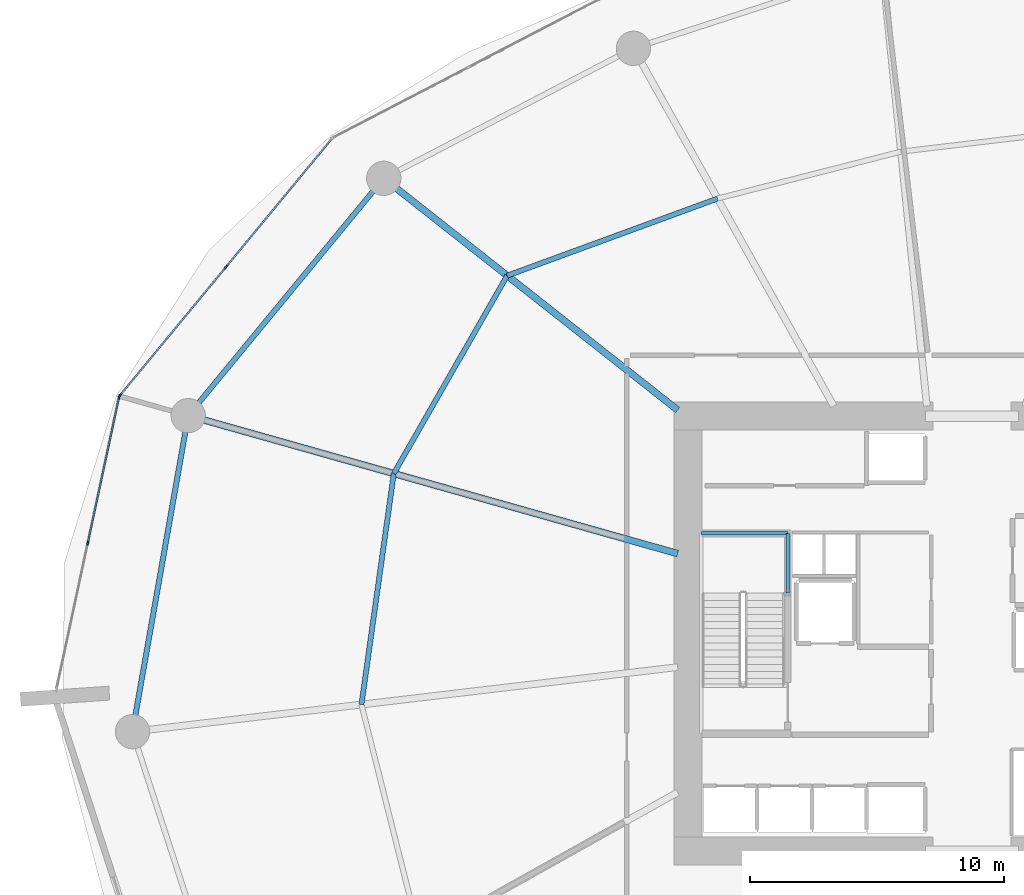
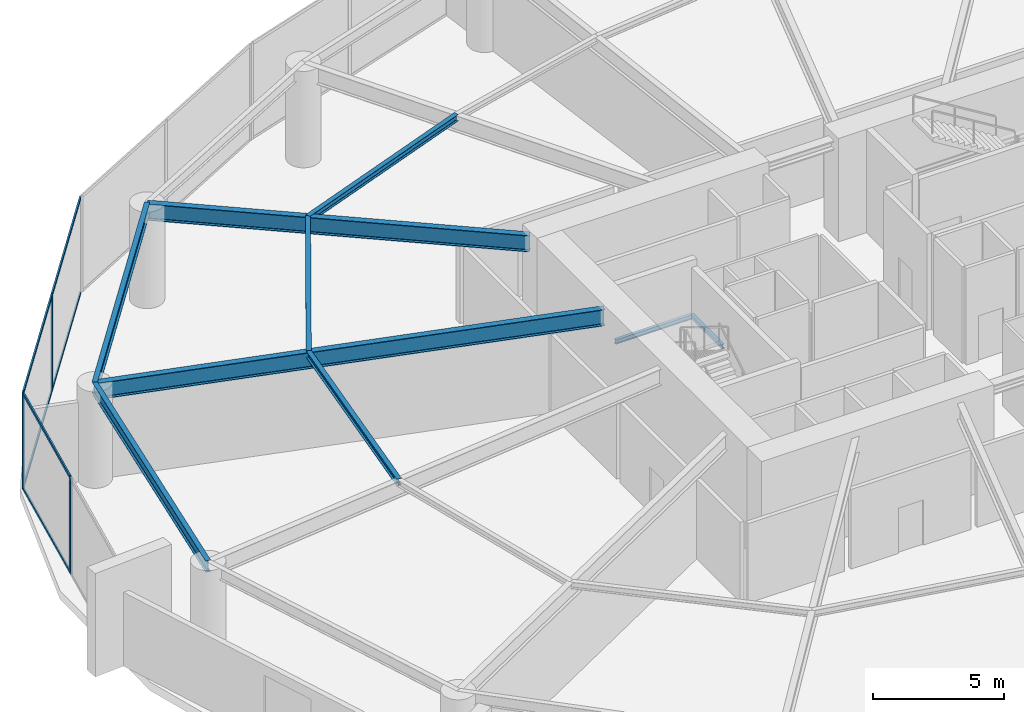
# One storey, part 12 of 22: 10 members, 9 beams, 2 elements without a shape of their own.
"""IFC4 building model written with IfcOpenShell, lengths in metres."""

from ifc_helpers import new_model, si_unit, direction, frame, origin, origin_2d, place, context, subcontext, project, spatial, rectangle, i_section, extrude, material, layer, layer_set, material_profile, profile_set, type_object, element, aggregate, save


model = new_model("IFC4")

# Units and contexts
model_context = context("Model", 3, precision=1e-05, world=origin(), true_north=direction((0.0, 1.0)))
body_context = subcontext(model_context, "Body", "Model", "MODEL_VIEW")
ifc_project = project(units=[si_unit("LENGTHUNIT", "METRE"), si_unit("AREAUNIT", "SQUARE_METRE"), si_unit("VOLUMEUNIT", "CUBIC_METRE"), si_unit("PLANEANGLEUNIT", "RADIAN"), si_unit("MASSUNIT", "GRAM", prefix="KILO")], contexts=[model_context])

# Site, building, storey
site_placement = place(None, origin())
site = spatial("IfcSite", under=ifc_project, at=site_placement, CompositionType="ELEMENT")
building_placement = place(site_placement, origin())
building = spatial("IfcBuilding", under=site, at=building_placement, Name="Kazma Halo Residences", CompositionType="ELEMENT")
storey_placement = place(building_placement, frame((0.0, 0.0, 7.199951171875)))
storey = spatial("IfcBuildingStorey", under=building, at=storey_placement, Name="L01", CompositionType="ELEMENT", Elevation=7.199951171875)

# Beams
ifc_material_1 = material(Name="Steel S355", Category="steel")
ifc_material_profile_1 = material_profile(ifc_material_1, i_section(OverallWidth=0.26708984375, OverallDepth=0.761962890625, WebThickness=0.014404296875, FlangeThickness=0.021484375, FilletRadius=0.02001953125, at=origin_2d()), Name="W760x173")
ifc_profile_set_1 = profile_set([ifc_material_profile_1], Name="Steel S355")
beam_type_1 = type_object("IfcBeamType", Name="BM-POD-W760", PredefinedType="BEAM", material=ifc_profile_set_1)
beam_1_placement = place(storey_placement, frame((36.85009765625, 50.7900390625, 4.09912109375), z_axis=(-0.785321582594, 0.619088048594, 0.0), x_axis=(-0.619088048594, -0.785321582594, 0.0)))
element("IfcBeam", 1, at=beam_1_placement, inside=storey, type_object=beam_type_1, Name="L01 radial floor beam 06", PredefinedType="BEAM", context=body_context, shape_type="SweptSolid", body=[
    extrude(i_section(OverallWidth=0.26708984375, OverallDepth=0.761962890625, WebThickness=0.014404296875, FlangeThickness=0.021484375, FilletRadius=0.02001953125, at=origin_2d()), origin(), (0.0, 0.0, 1.0), 14.718994140625),
])
beam_2_placement = place(storey_placement, frame((36.85009765625, 45.14453125, 4.09912109375), z_axis=(-0.962454909869, 0.271441607845, 0.0), x_axis=(-0.271441607845, -0.962454909869, 0.0)))
element("IfcBeam", 2, at=beam_2_placement, inside=storey, type_object=beam_type_1, Name="L01 radial floor beam 07", PredefinedType="BEAM", context=body_context, shape_type="SweptSolid", body=[
    extrude(i_section(OverallWidth=0.26708984375, OverallDepth=0.761962890625, WebThickness=0.014404296875, FlangeThickness=0.021484375, FilletRadius=0.02001953125, at=origin_2d()), origin(), (0.0, 0.0, 1.0), 19.99853515625),
])
ifc_material_profile_2 = material_profile(ifc_material_1, i_section(OverallWidth=0.202880859375, OverallDepth=0.302978515625, WebThickness=0.007568359375, FlangeThickness=0.01318359375, FilletRadius=0.013916015625, at=origin_2d()), Name="W310x60")
ifc_profile_set_2 = profile_set([ifc_material_profile_2], Name="Steel S355")
beam_type_2 = type_object("IfcBeamType", Name="BM-SEC-W310A", PredefinedType="JOIST", material=ifc_profile_set_2)
beam_3_placement = place(storey_placement, frame((38.419189453125, 59.10791015625, 4.32861328125), z_axis=(-0.938908549767, -0.344166725838, 0.0), x_axis=(0.344166725838, -0.938908549767, 0.0)))
element("IfcBeam", 3, at=beam_3_placement, inside=storey, type_object=beam_type_2, Name="L01 circumferential floor joist 05", PredefinedType="JOIST", context=body_context, shape_type="SweptSolid", body=[
    extrude(i_section(OverallWidth=0.202880859375, OverallDepth=0.302978515625, WebThickness=0.007568359375, FlangeThickness=0.01318359375, FilletRadius=0.013916015625, at=origin_2d()), origin(), (0.0, 0.0, 1.0), 8.811767578125),
])
beam_4_placement = place(storey_placement, frame((30.145751953125, 56.0751953125, 4.32861328125), z_axis=(-0.497199727341, -0.867636116775, 0.0), x_axis=(0.867636116775, -0.497199727341, 0.0)))
element("IfcBeam", 4, at=beam_4_placement, inside=storey, type_object=beam_type_2, Name="L01 circumferential floor joist 06", PredefinedType="JOIST", context=body_context, shape_type="SweptSolid", body=[
    extrude(i_section(OverallWidth=0.202880859375, OverallDepth=0.302978515625, WebThickness=0.007568359375, FlangeThickness=0.01318359375, FilletRadius=0.013916015625, at=origin_2d()), origin(), (0.0, 0.0, 1.0), 8.96923828125),
])
beam_5_placement = place(storey_placement, frame((25.686279296875, 48.293212890625, 4.32861328125), z_axis=(-0.138581542975, -0.99035102663, 0.0), x_axis=(0.99035102663, -0.138581542975, 0.0)))
element("IfcBeam", 5, at=beam_5_placement, inside=storey, type_object=beam_type_2, Name="L01 circumferential floor joist 07", PredefinedType="JOIST", context=body_context, shape_type="SweptSolid", body=[
    extrude(i_section(OverallWidth=0.202880859375, OverallDepth=0.302978515625, WebThickness=0.007568359375, FlangeThickness=0.01318359375, FilletRadius=0.013916015625, at=origin_2d()), origin(), (0.0, 0.0, 1.0), 9.17333984375),
])
ifc_material_profile_3 = material_profile(ifc_material_1, i_section(OverallWidth=0.208984375, OverallDepth=0.532958984375, WebThickness=0.01025390625, FlangeThickness=0.015625, FilletRadius=0.01611328125, at=origin_2d()), Name="W530x92")
ifc_profile_set_3 = profile_set([ifc_material_profile_3], Name="Steel S355")
beam_type_3 = type_object("IfcBeamType", Name="BM-SPN-W530", PredefinedType="BEAM", material=ifc_profile_set_3)
beam_6_placement = place(storey_placement, frame((25.291015625, 59.90234375, 4.213623046875), z_axis=(-0.635989643733, -0.771697591718, 0.0), x_axis=(0.771697591718, -0.635989643733, 0.0)))
element("IfcBeam", 6, at=beam_6_placement, inside=storey, type_object=beam_type_3, Name="L01 perimeter ring beam 06", PredefinedType="BEAM", context=body_context, shape_type="SweptSolid", body=[
    extrude(i_section(OverallWidth=0.208984375, OverallDepth=0.532958984375, WebThickness=0.01025390625, FlangeThickness=0.015625, FilletRadius=0.01611328125, at=origin_2d()), origin(), (0.0, 0.0, 1.0), 12.08935546875),
])
beam_7_placement = place(storey_placement, frame((17.602294921875, 50.572998046875, 4.213623046875), z_axis=(-0.173657334149, -0.984806138434, 0.0), x_axis=(0.984806138434, -0.173657334149, 0.0)))
element("IfcBeam", 7, at=beam_7_placement, inside=storey, type_object=beam_type_3, Name="L01 perimeter ring beam 07", PredefinedType="BEAM", context=body_context, shape_type="SweptSolid", body=[
    extrude(i_section(OverallWidth=0.208984375, OverallDepth=0.532958984375, WebThickness=0.01025390625, FlangeThickness=0.015625, FilletRadius=0.01611328125, at=origin_2d()), origin(), (0.0, 0.0, 1.0), 12.6220703125),
])
ifc_material_profile_4 = material_profile(ifc_material_1, i_section(OverallWidth=0.133056640625, OverallDepth=0.20703125, WebThickness=0.005859375, FlangeThickness=0.00830078125, FilletRadius=0.010009765625, at=origin_2d()), Name="W200x26.6")
ifc_profile_set_4 = profile_set([ifc_material_profile_4], Name="Steel S355")
beam_type_4 = type_object("IfcBeamType", Name="BM-TRIM-W200", PredefinedType="BEAM", material=ifc_profile_set_4)
beam_8_placement = place(storey_placement, frame((41.179931640625, 43.590087890625, 2.094970703125), z_axis=(0.0, 1.0, 0.0), x_axis=(-1.0, 0.0, 0.0)))
element("IfcBeam", 8, at=beam_8_placement, inside=storey, type_object=beam_type_4, Name="L01 ST-01 landing east wall ledger", PredefinedType="BEAM", context=body_context, shape_type="SweptSolid", body=[
    extrude(i_section(OverallWidth=0.133056640625, OverallDepth=0.20703125, WebThickness=0.005859375, FlangeThickness=0.00830078125, FilletRadius=0.010009765625, at=origin_2d()), origin(), (0.0, 0.0, 1.0), 2.349853515625),
])
beam_9_placement = place(storey_placement, frame((37.780029296875, 45.93994140625, 2.094970703125), z_axis=(1.0, 0.0, 0.0), x_axis=(0.0, 1.0, 0.0)))
element("IfcBeam", 9, at=beam_9_placement, inside=storey, type_object=beam_type_4, Name="L01 ST-01 landing end wall ledger", PredefinedType="BEAM", context=body_context, shape_type="SweptSolid", body=[
    extrude(i_section(OverallWidth=0.133056640625, OverallDepth=0.20703125, WebThickness=0.005859375, FlangeThickness=0.00830078125, FilletRadius=0.010009765625, at=origin_2d()), origin(), (0.0, 0.0, 1.0), 3.39990234375),
])

# Curtain wall, members
ifc_material_2 = material(Name="Aluminium AW-6063 T6 and Triple-Silver Low-E Glass", Category="aluminium")
ifc_layer = layer(ifc_material_2, 0.179931640625)
ifc_layer_set = layer_set([ifc_layer], Name="Aluminium AW-6063 T6 and Triple-Silver Low-E Glass")
curtain_wall_type = type_object("IfcCurtainWallType", Name="CW-SYS-1", PredefinedType="NOTDEFINED", material=ifc_layer_set)
curtain_wall_1_placement = place(storey_placement, origin())
curtain_wall_1 = element("IfcCurtainWall", 10, at=curtain_wall_1_placement, inside=storey, type_object=curtain_wall_type, Name="L01 unitised curtain wall B06", PredefinedType="NOTDEFINED")
ifc_material_3 = material(Name="Aluminium AW-6063 T6", Category="aluminium")
ifc_material_profile_5 = material_profile(ifc_material_3, rectangle(XDim=0.06494140625, YDim=0.179931640625, at=origin_2d()), Name="CWM-65x180")
ifc_profile_set_5 = profile_set([ifc_material_profile_5], Name="Aluminium AW-6063 T6")
member_type_1 = type_object("IfcMemberType", Name="CW-SYS-1-MUL", PredefinedType="MULLION", material=ifc_profile_set_5)
member_1_placement = place(storey_placement, frame((19.084716796875, 56.4140625, 0.0), z_axis=(0.0, 0.0, 1.0), x_axis=(0.771191775002, -0.636602895194, 0.0)))
member_1 = element("IfcMember", 11, at=member_1_placement, type_object=member_type_1, Name="CWS-1 mullion 2", PredefinedType="MULLION", context=body_context, shape_type="SweptSolid", body=[
    extrude(rectangle(XDim=0.06494140625, YDim=0.179931640625, at=origin_2d()), origin(), (0.0, 0.0, 1.0), 4.47998046875),
])
member_2_placement = place(storey_placement, frame((14.91455078125, 51.362060546875, 0.0), z_axis=(0.0, 0.0, 1.0), x_axis=(0.771191775002, -0.636602895194, 0.0)))
member_2 = element("IfcMember", 12, at=member_2_placement, type_object=member_type_1, Name="CWS-1 mullion 3", PredefinedType="MULLION", context=body_context, shape_type="SweptSolid", body=[
    extrude(rectangle(XDim=0.06494140625, YDim=0.179931640625, at=origin_2d()), origin(), (0.0, 0.0, 1.0), 4.47998046875),
])

curtain_wall_2_placement = place(storey_placement, origin())
curtain_wall_2 = element("IfcCurtainWall", 13, at=curtain_wall_2_placement, inside=storey, type_object=curtain_wall_type, Name="L01 unitised curtain wall B07", PredefinedType="NOTDEFINED")
member_3_placement = place(storey_placement, frame((14.886962890625, 51.30517578125, 0.0), z_axis=(0.0, 0.0, 1.0), x_axis=(0.977788157631, -0.209595607771, 0.0)))
member_3 = element("IfcMember", 14, at=member_3_placement, type_object=member_type_1, Name="CWS-1 mullion 1", PredefinedType="MULLION", context=body_context, shape_type="SweptSolid", body=[
    extrude(rectangle(XDim=0.06494140625, YDim=0.179931640625, at=origin_2d()), origin(), (0.0, 0.0, 1.0), 4.47998046875),
])
member_4_placement = place(storey_placement, frame((13.656494140625, 45.564697265625, 0.0), z_axis=(0.0, 0.0, 1.0), x_axis=(0.977788157631, -0.209595607771, 0.0)))
member_4 = element("IfcMember", 15, at=member_4_placement, type_object=member_type_1, Name="CWS-1 mullion 2", PredefinedType="MULLION", context=body_context, shape_type="SweptSolid", body=[
    extrude(rectangle(XDim=0.06494140625, YDim=0.179931640625, at=origin_2d()), origin(), (0.0, 0.0, 1.0), 4.47998046875),
])

# Member
ifc_material_profile_6 = material_profile(ifc_material_3, rectangle(XDim=0.06494140625, YDim=0.135009765625, at=origin_2d()), Name="CWT-65x135")
ifc_profile_set_6 = profile_set([ifc_material_profile_6], Name="Aluminium AW-6063 T6")
member_type_2 = type_object("IfcMemberType", Name="CW-SYS-1-TRN", PredefinedType="USERDEFINED", material=ifc_profile_set_6)
member_5_placement = place(storey_placement, frame((23.234375, 61.44091796875, 0.032470703125), z_axis=(-0.636593466061, -0.771199558459, 0.0), x_axis=(0.771199558459, -0.636593466061, 0.0)))
member_5 = element("IfcMember", 16, at=member_5_placement, type_object=member_type_2, Name="CWS-1 transom 1.1", ObjectType="TRANSOM", PredefinedType="USERDEFINED", context=body_context, shape_type="SweptSolid", body=[
    extrude(rectangle(XDim=0.06494140625, YDim=0.135009765625, at=origin_2d()), origin(), (0.0, 0.0, 1.0), 6.48583984375),
])

member_6_placement = place(storey_placement, frame((23.234375, 61.44091796875, 4.447509765625), z_axis=(-0.636593466061, -0.771199558459, 0.0), x_axis=(0.771199558459, -0.636593466061, 0.0)))
member_6 = element("IfcMember", 17, at=member_6_placement, type_object=member_type_2, Name="CWS-1 transom 1.2", ObjectType="TRANSOM", PredefinedType="USERDEFINED", context=body_context, shape_type="SweptSolid", body=[
    extrude(rectangle(XDim=0.06494140625, YDim=0.135009765625, at=origin_2d()), origin(), (0.0, 0.0, 1.0), 6.48583984375),
])

member_7_placement = place(storey_placement, frame((19.064208984375, 56.388916015625, 0.032470703125), z_axis=(-0.636615852507, -0.771181078825, 0.0), x_axis=(0.771181078825, -0.636615852507, 0.0)))
member_7 = element("IfcMember", 18, at=member_7_placement, type_object=member_type_2, Name="CWS-1 transom 2.1", ObjectType="TRANSOM", PredefinedType="USERDEFINED", context=body_context, shape_type="SweptSolid", body=[
    extrude(rectangle(XDim=0.06494140625, YDim=0.135009765625, at=origin_2d()), origin(), (0.0, 0.0, 1.0), 6.486083984375),
])

member_8_placement = place(storey_placement, frame((19.064208984375, 56.388916015625, 4.447509765625), z_axis=(-0.636615852507, -0.771181078825, 0.0), x_axis=(0.771181078825, -0.636615852507, 0.0)))
member_8 = element("IfcMember", 19, at=member_8_placement, type_object=member_type_2, Name="CWS-1 transom 2.2", ObjectType="TRANSOM", PredefinedType="USERDEFINED", context=body_context, shape_type="SweptSolid", body=[
    extrude(rectangle(XDim=0.06494140625, YDim=0.135009765625, at=origin_2d()), origin(), (0.0, 0.0, 1.0), 6.486083984375),
])

aggregate(curtain_wall_1, [member_1, member_2, member_5, member_6, member_7, member_8])

member_9_placement = place(storey_placement, frame((14.880126953125, 51.2734375, 0.032470703125), z_axis=(-0.209577907659, -0.977791951604, 0.0), x_axis=(0.977791951604, -0.209577907659, 0.0)))
member_9 = element("IfcMember", 20, at=member_9_placement, type_object=member_type_2, Name="CWS-1 transom 1.1", ObjectType="TRANSOM", PredefinedType="USERDEFINED", context=body_context, shape_type="SweptSolid", body=[
    extrude(rectangle(XDim=0.06494140625, YDim=0.135009765625, at=origin_2d()), origin(), (0.0, 0.0, 1.0), 5.805908203125),
])

member_10_placement = place(storey_placement, frame((14.880126953125, 51.2734375, 4.447509765625), z_axis=(-0.209577907659, -0.977791951604, 0.0), x_axis=(0.977791951604, -0.209577907659, 0.0)))
member_10 = element("IfcMember", 21, at=member_10_placement, type_object=member_type_2, Name="CWS-1 transom 1.2", ObjectType="TRANSOM", PredefinedType="USERDEFINED", context=body_context, shape_type="SweptSolid", body=[
    extrude(rectangle(XDim=0.06494140625, YDim=0.135009765625, at=origin_2d()), origin(), (0.0, 0.0, 1.0), 5.805908203125),
])

aggregate(curtain_wall_2, [member_3, member_4, member_9, member_10])

save(model, "model.ifc")
